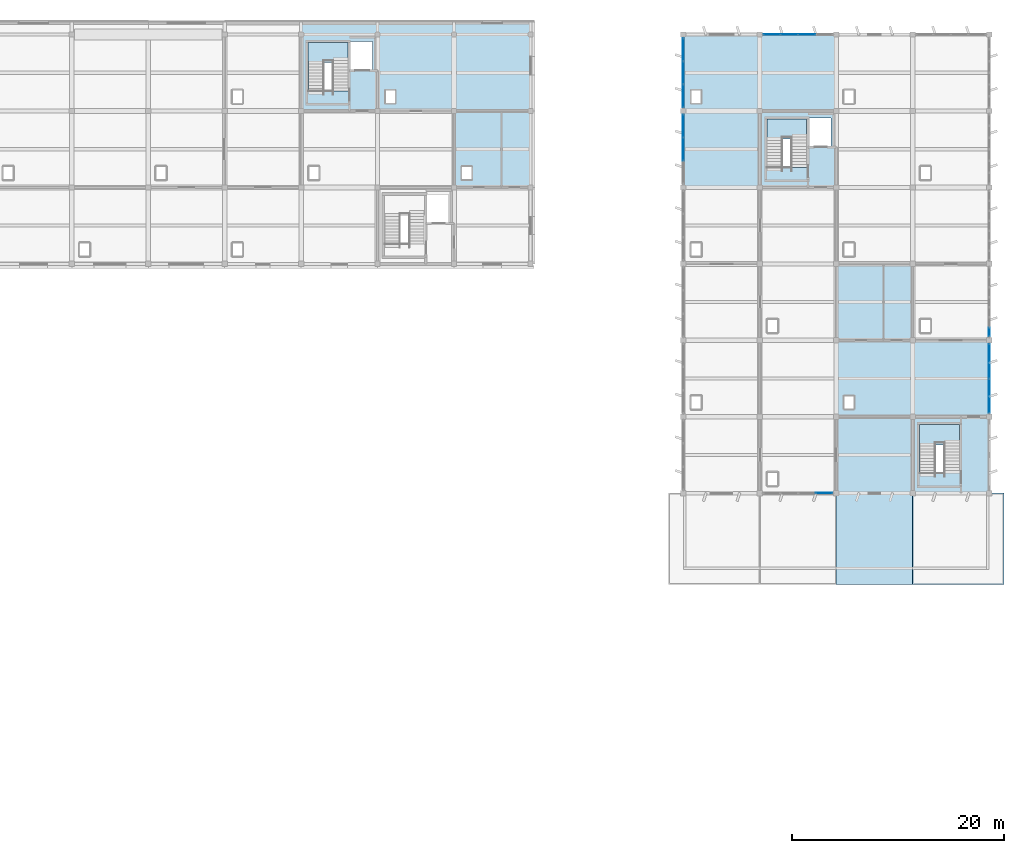
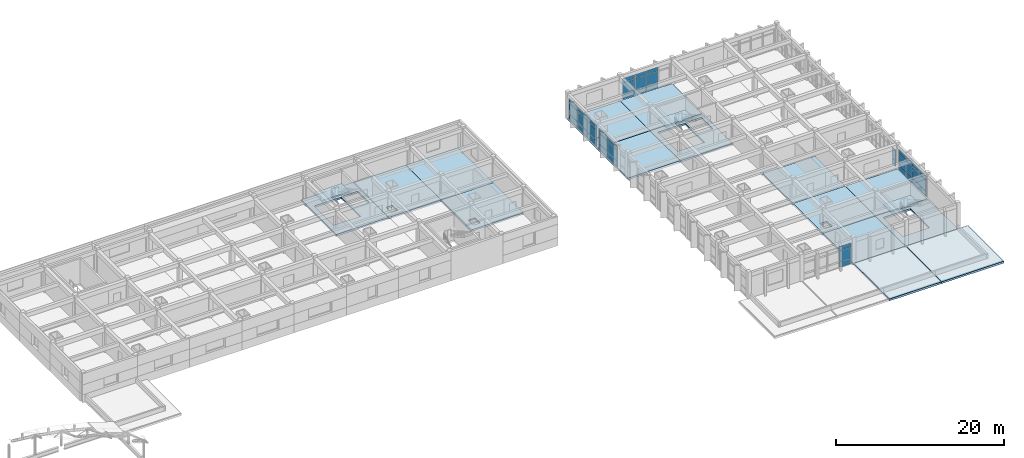
# One storey, part 26 of 40: 35 plates, 18 slabs, 9 elements without a shape of their own.
"""IFC4 building model written with IfcOpenShell, lengths in metres."""

from ifc_helpers import new_model, si_unit, direction, frame, origin, origin_2d, place, context, subcontext, project, spatial, polyline, rectangle, outline, extrude, material, layer, layer_set, type_object, element, aggregate, save


model = new_model("IFC4")

# Units and contexts
model_context = context("Model", 3, precision=1e-05, world=origin(), true_north=direction((0.0, 1.0)))
body_context = subcontext(model_context, "Body", "Model", "MODEL_VIEW")
ifc_project = project(units=[si_unit("LENGTHUNIT", "METRE"), si_unit("AREAUNIT", "SQUARE_METRE"), si_unit("VOLUMEUNIT", "CUBIC_METRE"), si_unit("PLANEANGLEUNIT", "RADIAN"), si_unit("MASSUNIT", "GRAM", prefix="KILO")], contexts=[model_context])

# Site, building, storey
site_placement = place(None, origin())
site = spatial("IfcSite", under=ifc_project, at=site_placement, CompositionType="ELEMENT")
building_placement = place(site_placement, origin())
building = spatial("IfcBuilding", under=site, at=building_placement, Name="Kavelor Marine Aquarium", CompositionType="ELEMENT")
storey_placement = place(building_placement, frame((0.0, 0.0, 17.639892578125)))
storey = spatial("IfcBuildingStorey", under=building, at=storey_placement, Name="L04", CompositionType="ELEMENT", Elevation=17.639892578125)

# Curtain wall, plates
ifc_material_1 = material(Name="Thermally Broken Aluminium and Low-E Glass", Category="aluminium")
ifc_layer_1 = layer(ifc_material_1, 0.260009765625)
ifc_layer_set_1 = layer_set([ifc_layer_1], Name="CW-SYS15")
curtain_wall_type_1 = type_object("IfcCurtainWallType", Name="CW-SYS15", PredefinedType="USERDEFINED", material=ifc_layer_set_1)
curtain_wall_1_placement = place(storey_placement, origin())
curtain_wall_1 = element("IfcCurtainWall", 1, at=curtain_wall_1_placement, inside=storey, type_object=curtain_wall_type_1, Name="cw:x:L04:17_09", ObjectType="Curtain Wall", PredefinedType="USERDEFINED")
ifc_material_2 = material(Name="Solar-Control Double Low-E Glazing", Category="glass")
ifc_layer_2 = layer(ifc_material_2, 0.053955078125)
ifc_layer_set_2 = layer_set([ifc_layer_2], Name="CWP-15")
plate_type_1 = type_object("IfcPlateType", Name="CWP-15", PredefinedType="CURTAIN_PANEL", material=ifc_layer_set_2)
plate_1_placement = place(storey_placement, frame((131.663818359375, 67.60009765625, 0.06494140625), z_axis=(0.0, 0.0, 1.0), x_axis=(-1.0, 0.0, 0.0)))
plate_1 = element("IfcPlate", 2, at=plate_1_placement, type_object=plate_type_1, Name="CW15 panel 1.1", PredefinedType="CURTAIN_PANEL", context=body_context, shape_type="SweptSolid", body=[
    extrude(rectangle(XDim=1.5625, YDim=0.053955078125, at=origin_2d()), origin(), (0.0, 0.0, 1.0), 0.802490234375),
])
plate_2_placement = place(storey_placement, frame((131.663818359375, 67.60009765625, 0.9326171875), z_axis=(0.0, 0.0, 1.0), x_axis=(-1.0, 0.0, 0.0)))
plate_2 = element("IfcPlate", 3, at=plate_2_placement, type_object=plate_type_1, Name="CW15 panel 1.2", PredefinedType="CURTAIN_PANEL", context=body_context, shape_type="SweptSolid", body=[
    extrude(rectangle(XDim=1.5625, YDim=0.053955078125, at=origin_2d()), origin(), (0.0, 0.0, 1.0), 1.52490234375),
])
plate_3_placement = place(storey_placement, frame((131.663818359375, 67.60009765625, 2.5224609375), z_axis=(0.0, 0.0, 1.0), x_axis=(-1.0, 0.0, 0.0)))
plate_3 = element("IfcPlate", 4, at=plate_3_placement, type_object=plate_type_1, Name="CW15 panel 1.3", PredefinedType="CURTAIN_PANEL", context=body_context, shape_type="SweptSolid", body=[
    extrude(rectangle(XDim=1.5625, YDim=0.053955078125, at=origin_2d()), origin(), (0.0, 0.0, 1.0), 0.552490234375),
])
aggregate(curtain_wall_1, [plate_1, plate_2, plate_3])

ifc_material_3 = material(Name="Thermally Broken Aluminium and Low-E Glass", Category="aluminium")
ifc_layer_3 = layer(ifc_material_3, 0.26806640625)
ifc_layer_set_3 = layer_set([ifc_layer_3], Name="CW-SYS16")
curtain_wall_type_2 = type_object("IfcCurtainWallType", Name="CW-SYS16", PredefinedType="USERDEFINED", material=ifc_layer_set_3)
curtain_wall_2_placement = place(storey_placement, origin())
curtain_wall_2 = element("IfcCurtainWall", 5, at=curtain_wall_2_placement, inside=storey, type_object=curtain_wall_type_2, Name="cw:x:L04:17_15", ObjectType="Curtain Wall", PredefinedType="USERDEFINED")
ifc_material_4 = material(Name="Solar-Control Double Low-E Glazing", Category="glass")
ifc_layer_4 = layer(ifc_material_4, 0.055908203125)
ifc_layer_set_4 = layer_set([ifc_layer_4], Name="CWP-16")
plate_type_2 = type_object("IfcPlateType", Name="CWP-16", PredefinedType="CURTAIN_PANEL", material=ifc_layer_set_4)
plate_4_placement = place(storey_placement, frame((126.739990234375, 110.800048828125, 0.06005859375), z_axis=(0.0, 0.0, 1.0), x_axis=(1.0, 0.0, 0.0)))
plate_4 = element("IfcPlate", 6, at=plate_4_placement, type_object=plate_type_2, Name="CW16 panel 1.1", PredefinedType="CURTAIN_PANEL", context=body_context, shape_type="SweptSolid", body=[
    extrude(rectangle(XDim=1.5400390625, YDim=0.055908203125, at=origin_2d()), origin(), (0.0, 0.0, 1.0), 0.81005859375),
])
plate_5_placement = place(storey_placement, frame((126.739990234375, 110.800048828125, 0.93017578125), z_axis=(0.0, 0.0, 1.0), x_axis=(1.0, 0.0, 0.0)))
plate_5 = element("IfcPlate", 7, at=plate_5_placement, type_object=plate_type_2, Name="CW16 panel 1.2", PredefinedType="CURTAIN_PANEL", context=body_context, shape_type="SweptSolid", body=[
    extrude(rectangle(XDim=1.5400390625, YDim=0.055908203125, at=origin_2d()), origin(), (0.0, 0.0, 1.0), 1.550048828125),
])
plate_6_placement = place(storey_placement, frame((126.739990234375, 110.800048828125, 2.5400390625), z_axis=(0.0, 0.0, 1.0), x_axis=(1.0, 0.0, 0.0)))
plate_6 = element("IfcPlate", 8, at=plate_6_placement, type_object=plate_type_2, Name="CW16 panel 1.3", PredefinedType="CURTAIN_PANEL", context=body_context, shape_type="SweptSolid", body=[
    extrude(rectangle(XDim=1.5400390625, YDim=0.055908203125, at=origin_2d()), origin(), (0.0, 0.0, 1.0), 0.56005859375),
])
plate_7_placement = place(storey_placement, frame((128.373779296875, 110.800048828125, 0.06005859375), z_axis=(0.0, 0.0, 1.0), x_axis=(1.0, 0.0, 0.0)))
plate_7 = element("IfcPlate", 9, at=plate_7_placement, type_object=plate_type_2, Name="CW16 panel 2.1", PredefinedType="CURTAIN_PANEL", context=body_context, shape_type="SweptSolid", body=[
    extrude(rectangle(XDim=1.577392578125, YDim=0.055908203125, at=origin_2d()), origin(), (0.0, 0.0, 1.0), 0.81005859375),
])
plate_8_placement = place(storey_placement, frame((128.373779296875, 110.800048828125, 0.93017578125), z_axis=(0.0, 0.0, 1.0), x_axis=(1.0, 0.0, 0.0)))
plate_8 = element("IfcPlate", 10, at=plate_8_placement, type_object=plate_type_2, Name="CW16 panel 2.2", PredefinedType="CURTAIN_PANEL", context=body_context, shape_type="SweptSolid", body=[
    extrude(rectangle(XDim=1.577392578125, YDim=0.055908203125, at=origin_2d()), origin(), (0.0, 0.0, 1.0), 1.550048828125),
])
plate_9_placement = place(storey_placement, frame((128.373779296875, 110.800048828125, 2.5400390625), z_axis=(0.0, 0.0, 1.0), x_axis=(1.0, 0.0, 0.0)))
plate_9 = element("IfcPlate", 11, at=plate_9_placement, type_object=plate_type_2, Name="CW16 panel 2.3", PredefinedType="CURTAIN_PANEL", context=body_context, shape_type="SweptSolid", body=[
    extrude(rectangle(XDim=1.577392578125, YDim=0.055908203125, at=origin_2d()), origin(), (0.0, 0.0, 1.0), 0.56005859375),
])
plate_10_placement = place(storey_placement, frame((130.0263671875, 110.800048828125, 0.06005859375), z_axis=(0.0, 0.0, 1.0), x_axis=(1.0, 0.0, 0.0)))
plate_10 = element("IfcPlate", 12, at=plate_10_placement, type_object=plate_type_2, Name="CW16 panel 3.1", PredefinedType="CURTAIN_PANEL", context=body_context, shape_type="SweptSolid", body=[
    extrude(rectangle(XDim=1.577392578125, YDim=0.055908203125, at=origin_2d()), origin(), (0.0, 0.0, 1.0), 0.81005859375),
])
plate_11_placement = place(storey_placement, frame((130.0263671875, 110.800048828125, 0.93017578125), z_axis=(0.0, 0.0, 1.0), x_axis=(1.0, 0.0, 0.0)))
plate_11 = element("IfcPlate", 13, at=plate_11_placement, type_object=plate_type_2, Name="CW16 panel 3.2", PredefinedType="CURTAIN_PANEL", context=body_context, shape_type="SweptSolid", body=[
    extrude(rectangle(XDim=1.577392578125, YDim=0.055908203125, at=origin_2d()), origin(), (0.0, 0.0, 1.0), 1.550048828125),
])
plate_12_placement = place(storey_placement, frame((130.0263671875, 110.800048828125, 2.5400390625), z_axis=(0.0, 0.0, 1.0), x_axis=(1.0, 0.0, 0.0)))
plate_12 = element("IfcPlate", 14, at=plate_12_placement, type_object=plate_type_2, Name="CW16 panel 3.3", PredefinedType="CURTAIN_PANEL", context=body_context, shape_type="SweptSolid", body=[
    extrude(rectangle(XDim=1.577392578125, YDim=0.055908203125, at=origin_2d()), origin(), (0.0, 0.0, 1.0), 0.56005859375),
])
aggregate(curtain_wall_2, [plate_4, plate_5, plate_6, plate_7, plate_8, plate_9, plate_10, plate_11, plate_12])

ifc_material_5 = material(Name="Thermally Broken Aluminium and Low-E Glass", Category="aluminium")
ifc_layer_5 = layer(ifc_material_5, 0.31591796875)
ifc_layer_set_5 = layer_set([ifc_layer_5], Name="CW-SYS22")
curtain_wall_type_3 = type_object("IfcCurtainWallType", Name="CW-SYS22", PredefinedType="USERDEFINED", material=ifc_layer_set_5)
curtain_wall_3_placement = place(storey_placement, origin())
curtain_wall_3 = element("IfcCurtainWall", 15, at=curtain_wall_3_placement, inside=storey, type_object=curtain_wall_type_3, Name="cw:y:L04:16_13", ObjectType="Curtain Wall", PredefinedType="USERDEFINED")
ifc_material_6 = material(Name="Solar-Control Double Low-E Glazing", Category="glass")
ifc_layer_6 = layer(ifc_material_6, 0.068115234375)
ifc_layer_set_6 = layer_set([ifc_layer_6], Name="CWP-22")
plate_type_3 = type_object("IfcPlateType", Name="CWP-22", PredefinedType="CURTAIN_PANEL", material=ifc_layer_set_6)
plate_13_placement = place(storey_placement, frame((118.39990234375, 102.1845703125, 0.06005859375), z_axis=(0.0, 0.0, 1.0), x_axis=(0.0, -1.0, 0.0)))
plate_13 = element("IfcPlate", 16, at=plate_13_placement, type_object=plate_type_3, Name="CW22 panel 1.1", PredefinedType="CURTAIN_PANEL", context=body_context, shape_type="SweptSolid", body=[
    extrude(rectangle(XDim=2.0908203125, YDim=0.068115234375, at=origin_2d()), origin(), (0.0, 0.0, 1.0), 0.81005859375),
])
plate_14_placement = place(storey_placement, frame((118.39990234375, 102.1845703125, 0.93017578125), z_axis=(0.0, 0.0, 1.0), x_axis=(0.0, -1.0, 0.0)))
plate_14 = element("IfcPlate", 17, at=plate_14_placement, type_object=plate_type_3, Name="CW22 panel 1.2", PredefinedType="CURTAIN_PANEL", context=body_context, shape_type="SweptSolid", body=[
    extrude(rectangle(XDim=2.0908203125, YDim=0.068115234375, at=origin_2d()), origin(), (0.0, 0.0, 1.0), 1.510009765625),
])
plate_15_placement = place(storey_placement, frame((118.39990234375, 102.1845703125, 2.5), z_axis=(0.0, 0.0, 1.0), x_axis=(0.0, -1.0, 0.0)))
plate_15 = element("IfcPlate", 18, at=plate_15_placement, type_object=plate_type_3, Name="CW22 panel 1.3", PredefinedType="CURTAIN_PANEL", context=body_context, shape_type="SweptSolid", body=[
    extrude(rectangle(XDim=2.0908203125, YDim=0.068115234375, at=origin_2d()), origin(), (0.0, 0.0, 1.0), 0.56005859375),
])
plate_16_placement = place(storey_placement, frame((118.39990234375, 100.0, 0.06005859375), z_axis=(0.0, 0.0, 1.0), x_axis=(0.0, -1.0, 0.0)))
plate_16 = element("IfcPlate", 19, at=plate_16_placement, type_object=plate_type_3, Name="CW22 panel 2.1", PredefinedType="CURTAIN_PANEL", context=body_context, shape_type="SweptSolid", body=[
    extrude(rectangle(XDim=2.12841796875, YDim=0.068115234375, at=origin_2d()), origin(), (0.0, 0.0, 1.0), 0.81005859375),
])
plate_17_placement = place(storey_placement, frame((118.39990234375, 100.0, 0.93017578125), z_axis=(0.0, 0.0, 1.0), x_axis=(0.0, -1.0, 0.0)))
plate_17 = element("IfcPlate", 20, at=plate_17_placement, type_object=plate_type_3, Name="CW22 panel 2.2", PredefinedType="CURTAIN_PANEL", context=body_context, shape_type="SweptSolid", body=[
    extrude(rectangle(XDim=2.12841796875, YDim=0.068115234375, at=origin_2d()), origin(), (0.0, 0.0, 1.0), 1.510009765625),
])
plate_18_placement = place(storey_placement, frame((118.39990234375, 100.0, 2.5), z_axis=(0.0, 0.0, 1.0), x_axis=(0.0, -1.0, 0.0)))
plate_18 = element("IfcPlate", 21, at=plate_18_placement, type_object=plate_type_3, Name="CW22 panel 2.3", PredefinedType="CURTAIN_PANEL", context=body_context, shape_type="SweptSolid", body=[
    extrude(rectangle(XDim=2.12841796875, YDim=0.068115234375, at=origin_2d()), origin(), (0.0, 0.0, 1.0), 0.56005859375),
])
aggregate(curtain_wall_3, [plate_13, plate_14, plate_15, plate_16, plate_17, plate_18])

ifc_material_7 = material(Name="Thermally Broken Aluminium and Low-E Glass", Category="aluminium")
ifc_layer_7 = layer(ifc_material_7, 0.323974609375)
ifc_layer_set_7 = layer_set([ifc_layer_7], Name="CW-SYS23")
curtain_wall_type_4 = type_object("IfcCurtainWallType", Name="CW-SYS23", PredefinedType="USERDEFINED", material=ifc_layer_set_7)
curtain_wall_4_placement = place(storey_placement, origin())
curtain_wall_4 = element("IfcCurtainWall", 22, at=curtain_wall_4_placement, inside=storey, type_object=curtain_wall_type_4, Name="cw:y:L04:16_14", ObjectType="Curtain Wall", PredefinedType="USERDEFINED")
ifc_material_8 = material(Name="Solar-Control Double Low-E Glazing", Category="glass")
ifc_layer_8 = layer(ifc_material_8, 0.070068359375)
ifc_layer_set_8 = layer_set([ifc_layer_8], Name="CWP-23")
plate_type_4 = type_object("IfcPlateType", Name="CWP-23", PredefinedType="CURTAIN_PANEL", material=ifc_layer_set_8)
plate_19_placement = place(storey_placement, frame((118.39990234375, 109.386962890625, 0.06005859375), z_axis=(0.0, 0.0, 1.0), x_axis=(0.0, -1.0, 0.0)))
plate_19 = element("IfcPlate", 23, at=plate_19_placement, type_object=plate_type_4, Name="CW23 panel 1.1", PredefinedType="CURTAIN_PANEL", context=body_context, shape_type="SweptSolid", body=[
    extrude(rectangle(XDim=2.105712890625, YDim=0.070068359375, at=origin_2d()), origin(), (0.0, 0.0, 1.0), 0.81005859375),
])
plate_20_placement = place(storey_placement, frame((118.39990234375, 109.386962890625, 0.93017578125), z_axis=(0.0, 0.0, 1.0), x_axis=(0.0, -1.0, 0.0)))
plate_20 = element("IfcPlate", 24, at=plate_20_placement, type_object=plate_type_4, Name="CW23 panel 1.2", PredefinedType="CURTAIN_PANEL", context=body_context, shape_type="SweptSolid", body=[
    extrude(rectangle(XDim=2.105712890625, YDim=0.070068359375, at=origin_2d()), origin(), (0.0, 0.0, 1.0), 1.550048828125),
])
plate_21_placement = place(storey_placement, frame((118.39990234375, 109.386962890625, 2.5400390625), z_axis=(0.0, 0.0, 1.0), x_axis=(0.0, -1.0, 0.0)))
plate_21 = element("IfcPlate", 25, at=plate_21_placement, type_object=plate_type_4, Name="CW23 panel 1.3", PredefinedType="CURTAIN_PANEL", context=body_context, shape_type="SweptSolid", body=[
    extrude(rectangle(XDim=2.105712890625, YDim=0.070068359375, at=origin_2d()), origin(), (0.0, 0.0, 1.0), 0.56005859375),
])
plate_22_placement = place(storey_placement, frame((118.39990234375, 107.199951171875, 0.06005859375), z_axis=(0.0, 0.0, 1.0), x_axis=(0.0, -1.0, 0.0)))
plate_22 = element("IfcPlate", 26, at=plate_22_placement, type_object=plate_type_4, Name="CW23 panel 2.1", PredefinedType="CURTAIN_PANEL", context=body_context, shape_type="SweptSolid", body=[
    extrude(rectangle(XDim=2.138427734375, YDim=0.070068359375, at=origin_2d()), origin(), (0.0, 0.0, 1.0), 0.81005859375),
])
plate_23_placement = place(storey_placement, frame((118.39990234375, 107.199951171875, 0.93017578125), z_axis=(0.0, 0.0, 1.0), x_axis=(0.0, -1.0, 0.0)))
plate_23 = element("IfcPlate", 27, at=plate_23_placement, type_object=plate_type_4, Name="CW23 panel 2.2", PredefinedType="CURTAIN_PANEL", context=body_context, shape_type="SweptSolid", body=[
    extrude(rectangle(XDim=2.138427734375, YDim=0.070068359375, at=origin_2d()), origin(), (0.0, 0.0, 1.0), 1.550048828125),
])
plate_24_placement = place(storey_placement, frame((118.39990234375, 107.199951171875, 2.5400390625), z_axis=(0.0, 0.0, 1.0), x_axis=(0.0, -1.0, 0.0)))
plate_24 = element("IfcPlate", 28, at=plate_24_placement, type_object=plate_type_4, Name="CW23 panel 2.3", PredefinedType="CURTAIN_PANEL", context=body_context, shape_type="SweptSolid", body=[
    extrude(rectangle(XDim=2.138427734375, YDim=0.070068359375, at=origin_2d()), origin(), (0.0, 0.0, 1.0), 0.56005859375),
])
plate_25_placement = place(storey_placement, frame((118.39990234375, 105.012939453125, 0.06005859375), z_axis=(0.0, 0.0, 1.0), x_axis=(0.0, -1.0, 0.0)))
plate_25 = element("IfcPlate", 29, at=plate_25_placement, type_object=plate_type_4, Name="CW23 panel 3.1", PredefinedType="CURTAIN_PANEL", context=body_context, shape_type="SweptSolid", body=[
    extrude(rectangle(XDim=2.105712890625, YDim=0.070068359375, at=origin_2d()), origin(), (0.0, 0.0, 1.0), 0.81005859375),
])
plate_26_placement = place(storey_placement, frame((118.39990234375, 105.012939453125, 0.93017578125), z_axis=(0.0, 0.0, 1.0), x_axis=(0.0, -1.0, 0.0)))
plate_26 = element("IfcPlate", 30, at=plate_26_placement, type_object=plate_type_4, Name="CW23 panel 3.2", PredefinedType="CURTAIN_PANEL", context=body_context, shape_type="SweptSolid", body=[
    extrude(rectangle(XDim=2.105712890625, YDim=0.070068359375, at=origin_2d()), origin(), (0.0, 0.0, 1.0), 1.550048828125),
])
plate_27_placement = place(storey_placement, frame((118.39990234375, 105.012939453125, 2.5400390625), z_axis=(0.0, 0.0, 1.0), x_axis=(0.0, -1.0, 0.0)))
plate_27 = element("IfcPlate", 31, at=plate_27_placement, type_object=plate_type_4, Name="CW23 panel 3.3", PredefinedType="CURTAIN_PANEL", context=body_context, shape_type="SweptSolid", body=[
    extrude(rectangle(XDim=2.105712890625, YDim=0.070068359375, at=origin_2d()), origin(), (0.0, 0.0, 1.0), 0.56005859375),
])
aggregate(curtain_wall_4, [plate_19, plate_20, plate_21, plate_22, plate_23, plate_24, plate_25, plate_26, plate_27])

ifc_material_9 = material(Name="Thermally Broken Aluminium and Low-E Glass", Category="aluminium")
ifc_layer_9 = layer(ifc_material_9, 0.33203125)
ifc_layer_set_9 = layer_set([ifc_layer_9], Name="CW-SYS24")
curtain_wall_type_5 = type_object("IfcCurtainWallType", Name="CW-SYS24", PredefinedType="USERDEFINED", material=ifc_layer_set_9)
curtain_wall_5_placement = place(storey_placement, origin())
curtain_wall_5 = element("IfcCurtainWall", 32, at=curtain_wall_5_placement, inside=storey, type_object=curtain_wall_type_5, Name="cw:y:L04:20_10", ObjectType="Curtain Wall", PredefinedType="USERDEFINED")
ifc_material_10 = material(Name="Solar-Control Double Low-E Glazing", Category="glass")
ifc_layer_10 = layer(ifc_material_10, 0.072021484375)
ifc_layer_set_10 = layer_set([ifc_layer_10], Name="CWP-24")
plate_type_5 = type_object("IfcPlateType", Name="CWP-24", PredefinedType="CURTAIN_PANEL", material=ifc_layer_set_10)
plate_28_placement = place(storey_placement, frame((147.199951171875, 76.762451171875, 0.074951171875), z_axis=(0.0, 0.0, 1.0), x_axis=(0.0, 1.0, 0.0)))
plate_28 = element("IfcPlate", 33, at=plate_28_placement, type_object=plate_type_5, Name="CW24 panel 1.1", PredefinedType="CURTAIN_PANEL", context=body_context, shape_type="SweptSolid", body=[
    extrude(rectangle(XDim=3.215087890625, YDim=0.072021484375, at=origin_2d()), origin(), (0.0, 0.0, 1.0), 0.78759765625),
])
plate_29_placement = place(storey_placement, frame((147.199951171875, 76.762451171875, 0.9375), z_axis=(0.0, 0.0, 1.0), x_axis=(0.0, 1.0, 0.0)))
plate_29 = element("IfcPlate", 34, at=plate_29_placement, type_object=plate_type_5, Name="CW24 panel 1.2", PredefinedType="CURTAIN_PANEL", context=body_context, shape_type="SweptSolid", body=[
    extrude(rectangle(XDim=3.215087890625, YDim=0.072021484375, at=origin_2d()), origin(), (0.0, 0.0, 1.0), 1.514892578125),
])
plate_30_placement = place(storey_placement, frame((147.199951171875, 76.762451171875, 2.527587890625), z_axis=(0.0, 0.0, 1.0), x_axis=(0.0, 1.0, 0.0)))
plate_30 = element("IfcPlate", 35, at=plate_30_placement, type_object=plate_type_5, Name="CW24 panel 1.3", PredefinedType="CURTAIN_PANEL", context=body_context, shape_type="SweptSolid", body=[
    extrude(rectangle(XDim=3.215087890625, YDim=0.072021484375, at=origin_2d()), origin(), (0.0, 0.0, 1.0), 0.53759765625),
])
plate_31_placement = place(storey_placement, frame((147.199951171875, 80.03759765625, 0.074951171875), z_axis=(0.0, 0.0, 1.0), x_axis=(0.0, 1.0, 0.0)))
plate_31 = element("IfcPlate", 36, at=plate_31_placement, type_object=plate_type_5, Name="CW24 panel 2.1", PredefinedType="CURTAIN_PANEL", context=body_context, shape_type="SweptSolid", body=[
    extrude(rectangle(XDim=3.215087890625, YDim=0.072021484375, at=origin_2d()), origin(), (0.0, 0.0, 1.0), 0.78759765625),
])
plate_32_placement = place(storey_placement, frame((147.199951171875, 80.03759765625, 0.9375), z_axis=(0.0, 0.0, 1.0), x_axis=(0.0, 1.0, 0.0)))
plate_32 = element("IfcPlate", 37, at=plate_32_placement, type_object=plate_type_5, Name="CW24 panel 2.2", PredefinedType="CURTAIN_PANEL", context=body_context, shape_type="SweptSolid", body=[
    extrude(rectangle(XDim=3.215087890625, YDim=0.072021484375, at=origin_2d()), origin(), (0.0, 0.0, 1.0), 1.514892578125),
])
plate_33_placement = place(storey_placement, frame((147.199951171875, 80.03759765625, 2.527587890625), z_axis=(0.0, 0.0, 1.0), x_axis=(0.0, 1.0, 0.0)))
plate_33 = element("IfcPlate", 38, at=plate_33_placement, type_object=plate_type_5, Name="CW24 panel 2.3", PredefinedType="CURTAIN_PANEL", context=body_context, shape_type="SweptSolid", body=[
    extrude(rectangle(XDim=3.215087890625, YDim=0.072021484375, at=origin_2d()), origin(), (0.0, 0.0, 1.0), 0.53759765625),
])
aggregate(curtain_wall_5, [plate_28, plate_29, plate_30, plate_31, plate_32, plate_33])

ifc_material_11 = material(Name="Thermally Broken Aluminium and Low-E Glass", Category="aluminium")
ifc_layer_11 = layer(ifc_material_11, 0.14794921875)
ifc_layer_set_11 = layer_set([ifc_layer_11], Name="CW-SYS1")
curtain_wall_type_6 = type_object("IfcCurtainWallType", Name="CW-SYS1", PredefinedType="USERDEFINED", material=ifc_layer_set_11)
curtain_wall_6_placement = place(storey_placement, origin())
curtain_wall_6 = element("IfcCurtainWall", 39, at=curtain_wall_6_placement, inside=storey, type_object=curtain_wall_type_6, Name="cw:y:L04:20_11", ObjectType="Curtain Wall", PredefinedType="USERDEFINED")
ifc_material_12 = material(Name="Solar-Control Double Low-E Glazing", Category="glass")
ifc_layer_12 = layer(ifc_material_12, 0.073974609375)
ifc_layer_set_12 = layer_set([ifc_layer_12], Name="CWP-25")
plate_type_6 = type_object("IfcPlateType", Name="CWP-25", PredefinedType="CURTAIN_PANEL", material=ifc_layer_set_12)
plate_34_placement = place(storey_placement, frame((147.199951171875, 82.785888671875, 0.074951171875), z_axis=(0.0, 0.0, 1.0), x_axis=(0.0, 1.0, 0.0)))
plate_34 = element("IfcPlate", 40, at=plate_34_placement, type_object=plate_type_6, Name="CW01 panel 1.1", PredefinedType="CURTAIN_PANEL", context=body_context, shape_type="SweptSolid", body=[
    extrude(rectangle(XDim=0.831787109375, YDim=0.073974609375, at=origin_2d()), origin(), (0.0, 0.0, 1.0), 0.78759765625),
])
plate_35_placement = place(storey_placement, frame((147.199951171875, 82.785888671875, 0.9375), z_axis=(0.0, 0.0, 1.0), x_axis=(0.0, 1.0, 0.0)))
plate_35 = element("IfcPlate", 41, at=plate_35_placement, type_object=plate_type_6, Name="CW01 panel 1.2", PredefinedType="CURTAIN_PANEL", context=body_context, shape_type="SweptSolid", body=[
    extrude(rectangle(XDim=0.831787109375, YDim=0.073974609375, at=origin_2d()), origin(), (0.0, 0.0, 1.0), 1.514892578125),
])
aggregate(curtain_wall_6, [plate_34, plate_35])

# Stair, slab
ifc_material_13 = material(Name="Concrete C40/50", Category="concrete")
stair_type = type_object("IfcStairType", Name="ST-T5", PredefinedType="HALF_TURN_STAIR", material=ifc_material_13)
stair_1_placement = place(storey_placement, origin())
stair_1 = element("IfcStair", 42, at=stair_1_placement, inside=storey, type_object=stair_type, Name="Exit Stair ST06 (L04)", PredefinedType="HALF_TURN_STAIR")
ifc_material_14 = material(Name="Concrete C40/50", Category="concrete")
ifc_layer_13 = layer(ifc_material_14, 0.199951171875)
ifc_layer_set_13 = layer_set([ifc_layer_13], Name="LND-T5")
slab_type_1 = type_object("IfcSlabType", Name="LND-T5", PredefinedType="LANDING", material=ifc_layer_set_13)
slab_1_placement = place(storey_placement, frame((0.0, 0.0, 1.780029296875)))
slab_1 = element("IfcSlab", 43, at=slab_1_placement, type_object=slab_type_1, Name="ST06 landing 1", PredefinedType="LANDING", context=body_context, shape_type="SweptSolid", body=[
    extrude(outline(polyline([(83.06005859375, 108.14794921875), (86.820068359375, 108.14794921875), (86.820068359375, 110.06005859375), (83.06005859375, 110.06005859375), (83.06005859375, 108.14794921875)])), origin(), (0.0, 0.0, 1.0), 0.2001953125),
])
aggregate(stair_1, [slab_1])

stair_2_placement = place(storey_placement, origin())
stair_2 = element("IfcStair", 44, at=stair_2_placement, inside=storey, type_object=stair_type, Name="Exit Stair ST10 (L04)", PredefinedType="HALF_TURN_STAIR")
slab_2_placement = place(storey_placement, frame((0.0, 0.0, 1.780029296875)))
slab_2 = element("IfcSlab", 45, at=slab_2_placement, type_object=slab_type_1, Name="ST10 landing 1", PredefinedType="LANDING", context=body_context, shape_type="SweptSolid", body=[
    extrude(outline(polyline([(126.260009765625, 100.947998046875), (130.02001953125, 100.947998046875), (130.02001953125, 102.860107421875), (126.260009765625, 102.860107421875), (126.260009765625, 100.947998046875)])), origin(), (0.0, 0.0, 1.0), 0.2001953125),
])
aggregate(stair_2, [slab_2])

stair_3_placement = place(storey_placement, origin())
stair_3 = element("IfcStair", 46, at=stair_3_placement, inside=storey, type_object=stair_type, Name="Exit Stair ST11 (L04)", PredefinedType="HALF_TURN_STAIR")
slab_3_placement = place(storey_placement, frame((0.0, 0.0, 1.780029296875)))
slab_3 = element("IfcSlab", 47, at=slab_3_placement, type_object=slab_type_1, Name="ST11 landing 1", PredefinedType="LANDING", context=body_context, shape_type="SweptSolid", body=[
    extrude(outline(polyline([(140.659912109375, 72.14794921875), (144.419921875, 72.14794921875), (144.419921875, 74.06005859375), (140.659912109375, 74.06005859375), (140.659912109375, 72.14794921875)])), origin(), (0.0, 0.0, 1.0), 0.2001953125),
])
aggregate(stair_3, [slab_3])

# Slabs
ifc_material_15 = material(Name="Concrete C40/50", Category="concrete")
ifc_layer_14 = layer(ifc_material_15, 0.280029296875)
ifc_layer_set_14 = layer_set([ifc_layer_14], Name="SL-FL2")
slab_type_2 = type_object("IfcSlabType", Name="SL-FL2", PredefinedType="FLOOR", material=ifc_layer_set_14)
slab_4_placement = place(storey_placement, frame((0.0, 0.0, -0.27978515625)))
element("IfcSlab", 48, at=slab_4_placement, inside=storey, type_object=slab_type_2, Name="slab:L04:12_14", PredefinedType="FLOOR", context=body_context, shape_type="SweptSolid", body=[
    extrude(outline(polyline([(89.60009765625, 103.60009765625), (96.800048828125, 103.60009765625), (96.800048828125, 112.0400390625), (89.60009765625, 112.0400390625), (89.60009765625, 103.60009765625)]), holes=[polyline([(90.35009765625, 104.35009765625), (91.25, 104.35009765625), (91.25, 105.550048828125), (90.35009765625, 105.550048828125), (90.35009765625, 104.35009765625)])]), origin(), (0.0, 0.0, 1.0), 0.27978515625),
])
slab_5_placement = place(storey_placement, frame((0.0, 0.0, -0.27978515625)))
element("IfcSlab", 49, at=slab_5_placement, inside=storey, type_object=slab_type_2, Name="slab:L04:16_13", PredefinedType="FLOOR", context=body_context, shape_type="SweptSolid", body=[
    extrude(outline(polyline([(118.39990234375, 96.39990234375), (125.60009765625, 96.39990234375), (125.60009765625, 103.60009765625), (118.39990234375, 103.60009765625), (118.39990234375, 96.39990234375)])), origin(), (0.0, 0.0, 1.0), 0.27978515625),
])
slab_6_placement = place(storey_placement, frame((0.0, 0.0, -0.27978515625)))
element("IfcSlab", 50, at=slab_6_placement, inside=storey, type_object=slab_type_2, Name="slab:L04:16_14", PredefinedType="FLOOR", context=body_context, shape_type="SweptSolid", body=[
    extrude(outline(polyline([(118.39990234375, 103.60009765625), (125.60009765625, 103.60009765625), (125.60009765625, 110.800048828125), (118.39990234375, 110.800048828125), (118.39990234375, 103.60009765625)]), holes=[polyline([(119.14990234375, 104.35009765625), (120.050048828125, 104.35009765625), (120.050048828125, 105.550048828125), (119.14990234375, 105.550048828125), (119.14990234375, 104.35009765625)])]), origin(), (0.0, 0.0, 1.0), 0.27978515625),
])
slab_7_placement = place(storey_placement, frame((0.0, 0.0, -0.27978515625)))
element("IfcSlab", 51, at=slab_7_placement, inside=storey, type_object=slab_type_2, Name="slab:L04:18_09", PredefinedType="FLOOR", context=body_context, shape_type="SweptSolid", body=[
    extrude(outline(polyline([(132.800048828125, 67.60009765625), (140.0, 67.60009765625), (140.0, 74.800048828125), (132.800048828125, 74.800048828125), (132.800048828125, 67.60009765625)])), origin(), (0.0, 0.0, 1.0), 0.27978515625),
])
slab_8_placement = place(storey_placement, frame((0.0, 0.0, -0.27978515625)))
element("IfcSlab", 52, at=slab_8_placement, inside=storey, type_object=slab_type_2, Name="slab:L04:18_10", PredefinedType="FLOOR", context=body_context, shape_type="SweptSolid", body=[
    extrude(outline(polyline([(132.800048828125, 74.800048828125), (140.0, 74.800048828125), (140.0, 82.0), (132.800048828125, 82.0), (132.800048828125, 74.800048828125)]), holes=[polyline([(133.550048828125, 75.550048828125), (134.449951171875, 75.550048828125), (134.449951171875, 76.75), (133.550048828125, 76.75), (133.550048828125, 75.550048828125)])]), origin(), (0.0, 0.0, 1.0), 0.27978515625),
])
slab_9_placement = place(storey_placement, frame((0.0, 0.0, -0.27978515625)))
element("IfcSlab", 53, at=slab_9_placement, inside=storey, type_object=slab_type_2, Name="slab:L04:18_11", PredefinedType="FLOOR", context=body_context, shape_type="SweptSolid", body=[
    extrude(outline(polyline([(132.800048828125, 82.0), (140.0, 82.0), (140.0, 89.199951171875), (132.800048828125, 89.199951171875), (132.800048828125, 82.0)])), origin(), (0.0, 0.0, 1.0), 0.27978515625),
])
ifc_material_16 = material(Name="Concrete C40/50", Category="concrete")
ifc_layer_15 = layer(ifc_material_16, 0.260009765625)
ifc_layer_set_15 = layer_set([ifc_layer_15], Name="SL-FL3")
slab_type_3 = type_object("IfcSlabType", Name="SL-FL3", PredefinedType="FLOOR", material=ifc_layer_set_15)
slab_10_placement = place(storey_placement, frame((0.0, 0.0, -0.260009765625)))
element("IfcSlab", 54, at=slab_10_placement, inside=storey, type_object=slab_type_3, Name="slab:L04:11_14", PredefinedType="FLOOR", context=body_context, shape_type="SweptSolid", body=[
    extrude(outline(polyline([(82.39990234375, 103.60009765625), (89.60009765625, 103.60009765625), (89.60009765625, 112.0400390625), (82.39990234375, 112.0400390625), (82.39990234375, 103.60009765625)]), holes=[polyline([(83.080078125, 105.48291015625), (86.800048828125, 105.48291015625), (86.800048828125, 110.070068359375), (83.080078125, 110.070068359375), (83.080078125, 105.48291015625)]), polyline([(87.06005859375, 107.449951171875), (89.10009765625, 107.449951171875), (89.10009765625, 110.14990234375), (87.0, 110.14990234375), (87.06005859375, 107.449951171875)])]), origin(), (0.0, 0.0, 1.0), 0.260009765625),
])
slab_11_placement = place(storey_placement, frame((0.0, 0.0, -0.260009765625)))
element("IfcSlab", 55, at=slab_11_placement, inside=storey, type_object=slab_type_3, Name="slab:L04:13_13", PredefinedType="FLOOR", context=body_context, shape_type="SweptSolid", body=[
    extrude(outline(polyline([(96.800048828125, 96.39990234375), (104.0, 96.39990234375), (104.0, 103.60009765625), (96.800048828125, 103.60009765625), (96.800048828125, 96.39990234375)]), holes=[polyline([(97.550048828125, 97.14990234375), (98.449951171875, 97.14990234375), (98.449951171875, 98.35009765625), (97.550048828125, 98.35009765625), (97.550048828125, 97.14990234375)])]), origin(), (0.0, 0.0, 1.0), 0.260009765625),
])
slab_12_placement = place(storey_placement, frame((0.0, 0.0, -0.260009765625)))
element("IfcSlab", 56, at=slab_12_placement, inside=storey, type_object=slab_type_3, Name="slab:L04:13_14", PredefinedType="FLOOR", context=body_context, shape_type="SweptSolid", body=[
    extrude(outline(polyline([(96.800048828125, 103.60009765625), (104.0, 103.60009765625), (104.0, 112.0400390625), (96.800048828125, 112.0400390625), (96.800048828125, 103.60009765625)])), origin(), (0.0, 0.0, 1.0), 0.260009765625),
])
slab_13_placement = place(storey_placement, frame((0.0, 0.0, -0.260009765625)))
element("IfcSlab", 57, at=slab_13_placement, inside=storey, type_object=slab_type_3, Name="slab:L04:17_13", PredefinedType="FLOOR", context=body_context, shape_type="SweptSolid", body=[
    extrude(outline(polyline([(125.60009765625, 96.39990234375), (132.800048828125, 96.39990234375), (132.800048828125, 103.60009765625), (125.60009765625, 103.60009765625), (125.60009765625, 96.39990234375)]), holes=[polyline([(126.280029296875, 98.282958984375), (130.0, 98.282958984375), (130.0, 102.8701171875), (126.280029296875, 102.8701171875), (126.280029296875, 98.282958984375)]), polyline([(130.260009765625, 100.25), (132.300048828125, 100.25), (132.300048828125, 102.949951171875), (130.199951171875, 102.949951171875), (130.260009765625, 100.25)])]), origin(), (0.0, 0.0, 1.0), 0.260009765625),
])
slab_14_placement = place(storey_placement, frame((0.0, 0.0, -0.260009765625)))
element("IfcSlab", 58, at=slab_14_placement, inside=storey, type_object=slab_type_3, Name="slab:L04:17_14", PredefinedType="FLOOR", context=body_context, shape_type="SweptSolid", body=[
    extrude(outline(polyline([(125.60009765625, 103.60009765625), (132.800048828125, 103.60009765625), (132.800048828125, 110.800048828125), (125.60009765625, 110.800048828125), (125.60009765625, 103.60009765625)])), origin(), (0.0, 0.0, 1.0), 0.260009765625),
])
slab_15_placement = place(storey_placement, frame((0.0, 0.0, -0.260009765625)))
element("IfcSlab", 59, at=slab_15_placement, inside=storey, type_object=slab_type_3, Name="slab:L04:19_09", PredefinedType="FLOOR", context=body_context, shape_type="SweptSolid", body=[
    extrude(outline(polyline([(140.0, 67.60009765625), (147.199951171875, 67.60009765625), (147.199951171875, 74.800048828125), (140.0, 74.800048828125), (140.0, 67.60009765625)]), holes=[polyline([(140.679931640625, 69.48291015625), (144.39990234375, 69.48291015625), (144.39990234375, 74.070068359375), (140.679931640625, 74.070068359375), (140.679931640625, 69.48291015625)])]), origin(), (0.0, 0.0, 1.0), 0.260009765625),
])
slab_16_placement = place(storey_placement, frame((0.0, 0.0, -0.260009765625)))
element("IfcSlab", 60, at=slab_16_placement, inside=storey, type_object=slab_type_3, Name="slab:L04:19_10", PredefinedType="FLOOR", context=body_context, shape_type="SweptSolid", body=[
    extrude(outline(polyline([(140.0, 74.800048828125), (147.199951171875, 74.800048828125), (147.199951171875, 82.0), (140.0, 82.0), (140.0, 74.800048828125)])), origin(), (0.0, 0.0, 1.0), 0.260009765625),
])
ifc_material_17 = material(Name="Concrete C40/50", Category="concrete")
ifc_layer_16 = layer(ifc_material_17, 0.280029296875)
ifc_layer_set_16 = layer_set([ifc_layer_16], Name="SL-RF1")
slab_type_4 = type_object("IfcSlabType", Name="SL-RF1", PredefinedType="ROOF", material=ifc_layer_set_16)
slab_17_placement = place(storey_placement, frame((0.0, 0.0, -0.27978515625)))
element("IfcSlab", 61, at=slab_17_placement, inside=storey, type_object=slab_type_4, Name="roof:L04:18_08", PredefinedType="ROOF", context=body_context, shape_type="SweptSolid", body=[
    extrude(outline(polyline([(132.800048828125, 59.0), (140.0, 59.0), (140.0, 67.60009765625), (132.800048828125, 67.60009765625), (132.800048828125, 59.0)])), origin(), (0.0, 0.0, 1.0), 0.27978515625),
])
slab_18_placement = place(storey_placement, frame((0.0, 0.0, -0.27978515625)))
element("IfcSlab", 62, at=slab_18_placement, inside=storey, type_object=slab_type_4, Name="roof:L04:19_08", PredefinedType="ROOF", context=body_context, shape_type="SweptSolid", body=[
    extrude(outline(polyline([(140.0, 59.0), (148.60009765625, 59.0), (148.60009765625, 67.60009765625), (140.0, 67.60009765625), (140.0, 59.0)])), origin(), (0.0, 0.0, 1.0), 0.27978515625),
])

save(model, "model.ifc")
